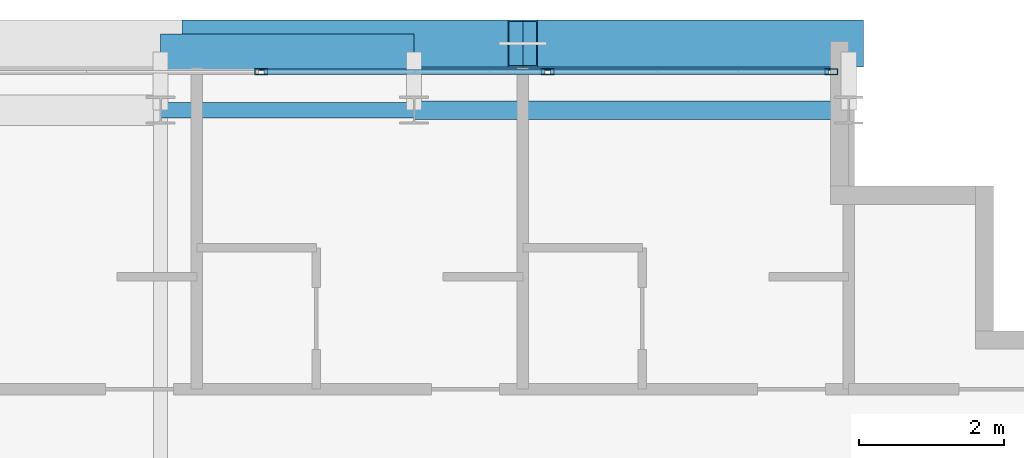
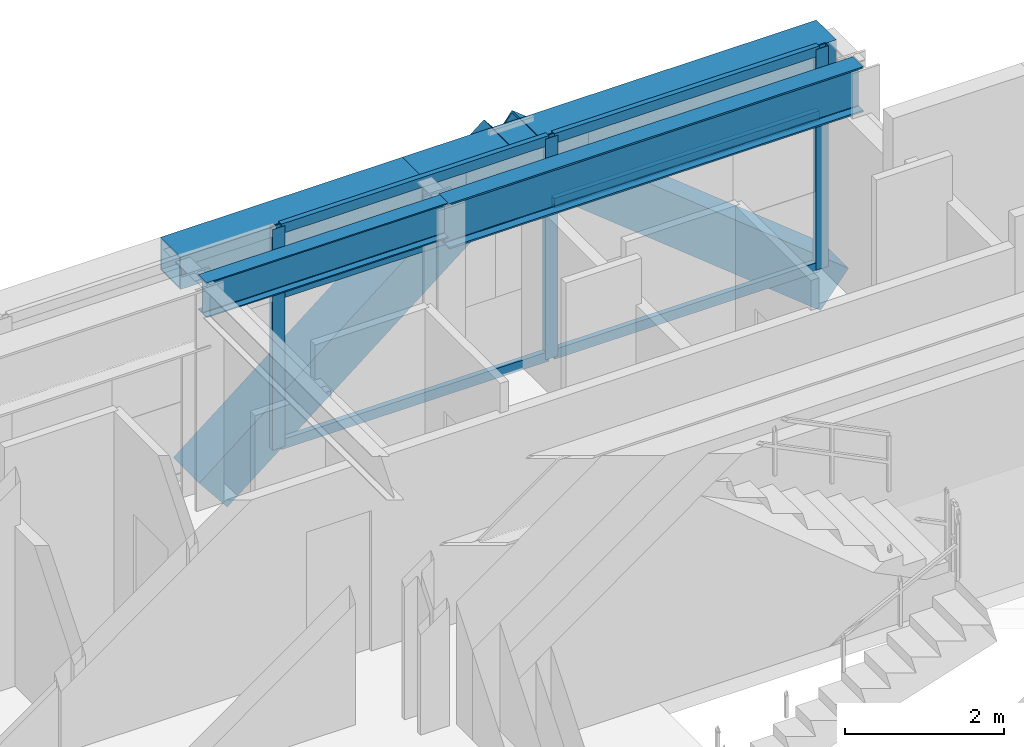
# One storey, part 17 of 29: 11 members, 4 beams, 1 element without a shape of its own.
"""IFC4 building model written with IfcOpenShell, lengths in metres."""

from ifc_helpers import new_model, si_unit, direction, frame, origin, origin_2d, place, context, subcontext, project, spatial, hollow_rectangle, i_section, extrude, source, transform, mapped, material, layer, layer_set, material_profile, profile_set, type_object, element, aggregate, save


model = new_model("IFC4")

# Units and contexts
model_context = context("Model", 3, precision=1e-05, world=origin(), true_north=direction((0.0, 1.0)))
body_context = subcontext(model_context, "Body", "Model", "MODEL_VIEW")
ifc_project = project(units=[si_unit("LENGTHUNIT", "METRE"), si_unit("AREAUNIT", "SQUARE_METRE"), si_unit("VOLUMEUNIT", "CUBIC_METRE"), si_unit("PLANEANGLEUNIT", "RADIAN"), si_unit("MASSUNIT", "GRAM", prefix="KILO")], contexts=[model_context])

# Site, building, storey
site_placement = place(None, origin())
site = spatial("IfcSite", under=ifc_project, at=site_placement, CompositionType="ELEMENT")
building_placement = place(site_placement, origin())
building = spatial("IfcBuilding", under=site, at=building_placement, Name="Ocotamira Hotel", CompositionType="ELEMENT")
storey_placement = place(building_placement, frame((0.0, 0.0, 236.39990234375)))
storey = spatial("IfcBuildingStorey", under=building, at=storey_placement, Name="L59", CompositionType="ELEMENT", Elevation=236.39990234375)

# Beams
ifc_material_1 = material(Name="Steel ASTM A992 Grade 50", Category="steel")
ifc_material_profile_1 = material_profile(ifc_material_1, i_section(OverallWidth=0.256103515625, OverallDepth=0.693115234375, WebThickness=0.014404296875, FlangeThickness=0.023681640625, FilletRadius=0.01611328125, at=origin_2d()), Name="W27X114")
ifc_profile_set_1 = profile_set([ifc_material_profile_1], Name="Steel ASTM A992 Grade 50")
beam_type_1 = type_object("IfcBeamType", Name="BM-PRIM-W27X114", PredefinedType="BEAM", material=ifc_profile_set_1)
shared_shape_1 = source(origin(), body_context, "Body", "SweptSolid", [
    extrude(i_section(OverallWidth=0.256103515625, OverallDepth=0.693115234375, WebThickness=0.014404296875, FlangeThickness=0.023681640625, FilletRadius=0.01611328125, at=origin_2d()), origin(), (0.0, 0.0, 1.0), 6.0),
])
beam_1_placement = place(storey_placement, frame((44.0, 43.050048828125, 3.03369140625), z_axis=(1.0, 0.0, 0.0), x_axis=(0.0, 1.0, 0.0)))
element("IfcBeam", 1, at=beam_1_placement, inside=storey, type_object=beam_type_1, Name="L59 Girder Y43.05 X44-50", PredefinedType="BEAM", context=body_context, shape_type="MappedRepresentation", body=[
    mapped(shared_shape_1, transform((0.0, 0.0, 0.0), scale=1.0)),
])
ifc_material_profile_2 = material_profile(ifc_material_1, i_section(OverallWidth=0.2099609375, OverallDepth=0.537109375, WebThickness=0.010986328125, FlangeThickness=0.017333984375, FilletRadius=0.012939453125, at=origin_2d()), Name="W21X68")
ifc_profile_set_2 = profile_set([ifc_material_profile_2], Name="Steel ASTM A992 Grade 50")
beam_type_2 = type_object("IfcBeamType", Name="BM-SEC-W21X68", PredefinedType="JOIST", material=ifc_profile_set_2)
shared_shape_2 = source(origin(), body_context, "Body", "SweptSolid", [
    extrude(i_section(OverallWidth=0.2099609375, OverallDepth=0.537109375, WebThickness=0.010986328125, FlangeThickness=0.017333984375, FilletRadius=0.012939453125, at=origin_2d()), origin(), (0.0, 0.0, 1.0), 3.5),
])
beam_2_placement = place(storey_placement, frame((40.5, 43.050048828125, 3.111572265625), z_axis=(1.0, 0.0, 0.0), x_axis=(0.0, 1.0, 0.0)))
element("IfcBeam", 2, at=beam_2_placement, inside=storey, type_object=beam_type_2, Name="L59 Girder Y43.05 X40.5-44", PredefinedType="JOIST", context=body_context, shape_type="MappedRepresentation", body=[
    mapped(shared_shape_2, transform((0.0, 0.0, 0.0), scale=1.0)),
])
ifc_material_2 = material(Name="Steel ASTM A500 Grade C", Category="steel")
ifc_material_profile_3 = material_profile(ifc_material_2, hollow_rectangle(XDim=0.5, YDim=0.5, WallThickness=0.02001953125, at=origin_2d()), Name="HSS500X500X20")
ifc_profile_set_3 = profile_set([ifc_material_profile_3], Name="Steel ASTM A500 Grade C")
beam_type_3 = type_object("IfcBeamType", Name="BM-SPAN-HSS500", PredefinedType="USERDEFINED", material=ifc_profile_set_3)
shared_shape_3 = source(origin(), body_context, "Body", "SweptSolid", [
    extrude(hollow_rectangle(XDim=0.5, YDim=0.5, WallThickness=0.02001953125, at=origin_2d()), origin(), (0.0, 0.0, 1.0), 6.0),
])
beam_3_placement = place(storey_placement, frame((44.0, 43.85009765625, 3.130126953125), z_axis=(1.0, 0.0, 0.0), x_axis=(0.0, 1.0, 0.0)))
element("IfcBeam", 3, at=beam_3_placement, inside=storey, type_object=beam_type_3, Name="L59 Edge Spandrel N X44-50", ObjectType="SPANDREL", PredefinedType="USERDEFINED", context=body_context, shape_type="MappedRepresentation", body=[
    mapped(shared_shape_3, transform((0.0, 0.0, 0.0), scale=1.0)),
])
shared_shape_4 = source(origin(), body_context, "Body", "SweptSolid", [
    extrude(hollow_rectangle(XDim=0.5, YDim=0.5, WallThickness=0.02001953125, at=origin_2d()), origin(), (0.0, 0.0, 1.0), 3.5),
])
beam_4_placement = place(storey_placement, frame((40.5, 43.85009765625, 3.130126953125), z_axis=(1.0, 0.0, 0.0), x_axis=(0.0, 1.0, 0.0)))
element("IfcBeam", 4, at=beam_4_placement, inside=storey, type_object=beam_type_3, Name="L59 Edge Spandrel N X40.5-44", ObjectType="SPANDREL", PredefinedType="USERDEFINED", context=body_context, shape_type="MappedRepresentation", body=[
    mapped(shared_shape_4, transform((0.0, 0.0, 0.0), scale=1.0)),
])

# Members
ifc_material_3 = material(Name="Pale-metal coated steel ASTM A913 Grade 65", Category="steel")
ifc_material_profile_4 = material_profile(ifc_material_3, hollow_rectangle(XDim=0.64990234375, YDim=0.64990234375, WallThickness=0.02197265625, at=origin_2d()), Name="BOX650X650X22")
ifc_profile_set_4 = profile_set([ifc_material_profile_4], Name="Pale-metal coated steel ASTM A913 Grade 65")
member_type_1 = type_object("IfcMemberType", Name="MEM-EXO-BOX650", PredefinedType="BRACE", material=ifc_profile_set_4)
shared_shape_5 = source(origin(), body_context, "Body", "SweptSolid", [
    extrude(hollow_rectangle(XDim=0.64990234375, YDim=0.64990234375, WallThickness=0.02197265625, at=origin_2d()), origin(), (0.0, 0.0, 1.0), 5.762939453125),
])
for number, where, z_axis, x_axis, name in (
    (5, (41.0, 43.969970703125, -0.469970703125), (0.780860543151, 0.0, 0.624705380279), (0.0, 1.0, 0.0), "L59 Exoskeleton Diagrid N3.1"),
    (6, (50.0, 43.969970703125, -0.469970703125), (-0.780860543151, 0.0, 0.624705380279), (0.0, -1.0, 0.0), "L59 Exoskeleton Diagrid N3.2"),
):
    element("IfcMember", number, at=place(storey_placement, frame(where, z_axis=z_axis, x_axis=x_axis)), inside=storey, type_object=member_type_1, Name=name, PredefinedType="BRACE", context=body_context, shape_type="MappedRepresentation", body=[
        mapped(shared_shape_5, transform((0.0, 0.0, 0.0), scale=1.0)),
    ])

# Curtain wall, members
ifc_material_4 = material(Name="Anodised pale-metal aluminium and solar glass", Category="aluminium")
ifc_layer = layer(ifc_material_4, 0.239990234375)
ifc_layer_set = layer_set([ifc_layer], Name="Anodised pale-metal aluminium and solar glass")
curtain_wall_type = type_object("IfcCurtainWallType", Name="CW-SYS5-SKY", PredefinedType="NOTDEFINED", material=ifc_layer_set)
curtain_wall_placement = place(storey_placement, origin())
curtain_wall = element("IfcCurtainWall", 7, at=curtain_wall_placement, inside=storey, type_object=curtain_wall_type, Name="L59 Curtain Wall CW-5 CW-L59-N", PredefinedType="NOTDEFINED")
ifc_material_5 = material(Name="Anodised pale-metal aluminium 6063-T6", Category="aluminium")
ifc_material_profile_5 = material_profile(ifc_material_5, hollow_rectangle(XDim=0.074951171875, YDim=0.14990234375, WallThickness=0.006103515625, at=origin_2d()), Name="HSS150X75X6")
ifc_profile_set_5 = profile_set([ifc_material_profile_5], Name="Anodised pale-metal aluminium 6063-T6")
member_type_2 = type_object("IfcMemberType", Name="CWT-150X75", PredefinedType="USERDEFINED", material=ifc_profile_set_5)
shared_shape_6 = source(origin(), body_context, "Body", "SweptSolid", [
    extrude(hollow_rectangle(XDim=0.074951171875, YDim=0.14990234375, WallThickness=0.006103515625, at=origin_2d()), origin(), (0.0, 0.0, 1.0), 3.83544921875),
])
member_1_placement = place(storey_placement, frame((45.884521484375, 43.580078125, 0.03759765625), z_axis=(1.0, 0.0, 0.0), x_axis=(0.0, 1.0, 0.0)))
member_1 = element("IfcMember", 8, at=member_1_placement, type_object=member_type_2, Name="CW-5 transom 9.1", ObjectType="TRANSOM", PredefinedType="USERDEFINED", context=body_context, shape_type="MappedRepresentation", body=[
    mapped(shared_shape_6, transform((0.0, 0.0, 0.0), scale=1.0)),
])
member_2_placement = place(storey_placement, frame((45.884521484375, 43.580078125, 2.35009765625), z_axis=(1.0, 0.0, 0.0), x_axis=(0.0, 1.0, 0.0)))
member_2 = element("IfcMember", 9, at=member_2_placement, type_object=member_type_2, Name="CW-5 transom 9.2", ObjectType="TRANSOM", PredefinedType="USERDEFINED", context=body_context, shape_type="MappedRepresentation", body=[
    mapped(shared_shape_6, transform((0.0, 0.0, 0.0), scale=1.0)),
])
member_3_placement = place(storey_placement, frame((45.884521484375, 43.580078125, 3.342529296875), z_axis=(1.0, 0.0, 0.0), x_axis=(0.0, 1.0, 0.0)))
member_3 = element("IfcMember", 10, at=member_3_placement, type_object=member_type_2, Name="CW-5 transom 9.3", ObjectType="TRANSOM", PredefinedType="USERDEFINED", context=body_context, shape_type="MappedRepresentation", body=[
    mapped(shared_shape_6, transform((0.0, 0.0, 0.0), scale=1.0)),
])
shared_shape_7 = source(origin(), body_context, "Body", "SweptSolid", [
    extrude(hollow_rectangle(XDim=0.074951171875, YDim=0.14990234375, WallThickness=0.006103515625, at=origin_2d()), origin(), (0.0, 0.0, 1.0), 3.87548828125),
])
member_4_placement = place(storey_placement, frame((41.928955078125, 43.580078125, 0.03759765625), z_axis=(1.0, 0.0, 0.0), x_axis=(0.0, 1.0, 0.0)))
member_4 = element("IfcMember", 11, at=member_4_placement, type_object=member_type_2, Name="CW-5 transom 8.1", ObjectType="TRANSOM", PredefinedType="USERDEFINED", context=body_context, shape_type="MappedRepresentation", body=[
    mapped(shared_shape_7, transform((0.0, 0.0, 0.0), scale=1.0)),
])
member_5_placement = place(storey_placement, frame((41.928955078125, 43.580078125, 2.35009765625), z_axis=(1.0, 0.0, 0.0), x_axis=(0.0, 1.0, 0.0)))
member_5 = element("IfcMember", 12, at=member_5_placement, type_object=member_type_2, Name="CW-5 transom 8.2", ObjectType="TRANSOM", PredefinedType="USERDEFINED", context=body_context, shape_type="MappedRepresentation", body=[
    mapped(shared_shape_7, transform((0.0, 0.0, 0.0), scale=1.0)),
])
member_6_placement = place(storey_placement, frame((41.928955078125, 43.580078125, 3.342529296875), z_axis=(1.0, 0.0, 0.0), x_axis=(0.0, 1.0, 0.0)))
member_6 = element("IfcMember", 13, at=member_6_placement, type_object=member_type_2, Name="CW-5 transom 8.3", ObjectType="TRANSOM", PredefinedType="USERDEFINED", context=body_context, shape_type="MappedRepresentation", body=[
    mapped(shared_shape_7, transform((0.0, 0.0, 0.0), scale=1.0)),
])
ifc_material_profile_6 = material_profile(ifc_material_5, hollow_rectangle(XDim=0.080078125, YDim=0.179931640625, WallThickness=0.006103515625, at=origin_2d()), Name="HSS180X80X6")
ifc_profile_set_6 = profile_set([ifc_material_profile_6], Name="Anodised pale-metal aluminium 6063-T6")
member_type_3 = type_object("IfcMemberType", Name="CWM-180X75", PredefinedType="MULLION", material=ifc_profile_set_6)
shared_shape_8 = source(origin(), body_context, "Body", "SweptSolid", [
    extrude(hollow_rectangle(XDim=0.080078125, YDim=0.179931640625, WallThickness=0.006103515625, at=origin_2d()), origin(), (0.0, 0.0, 1.0), 3.380126953125),
])
member_7_placement = place(storey_placement, frame((41.888916015625, 43.580078125, 0.0), z_axis=(0.0, 0.0, 1.0), x_axis=(0.0, 1.0, 0.0)))
member_7 = element("IfcMember", 14, at=member_7_placement, type_object=member_type_3, Name="CW-5 mullion 8", PredefinedType="MULLION", context=body_context, shape_type="MappedRepresentation", body=[
    mapped(shared_shape_8, transform((0.0, 0.0, 0.0), scale=1.0)),
])
member_8_placement = place(storey_placement, frame((45.844482421875, 43.580078125, 0.0), z_axis=(0.0, 0.0, 1.0), x_axis=(0.0, 1.0, 0.0)))
member_8 = element("IfcMember", 15, at=member_8_placement, type_object=member_type_3, Name="CW-5 mullion 9", PredefinedType="MULLION", context=body_context, shape_type="MappedRepresentation", body=[
    mapped(shared_shape_8, transform((0.0, 0.0, 0.0), scale=1.0)),
])
member_9_placement = place(storey_placement, frame((49.760009765625, 43.580078125, 0.0), z_axis=(0.0, 0.0, 1.0), x_axis=(0.0, 1.0, 0.0)))
member_9 = element("IfcMember", 16, at=member_9_placement, type_object=member_type_3, Name="CW-5 mullion 10", PredefinedType="MULLION", context=body_context, shape_type="MappedRepresentation", body=[
    mapped(shared_shape_8, transform((0.0, 0.0, 0.0), scale=1.0)),
])
aggregate(curtain_wall, [member_7, member_8, member_9, member_4, member_5, member_6, member_1, member_2, member_3])

save(model, "model.ifc")
